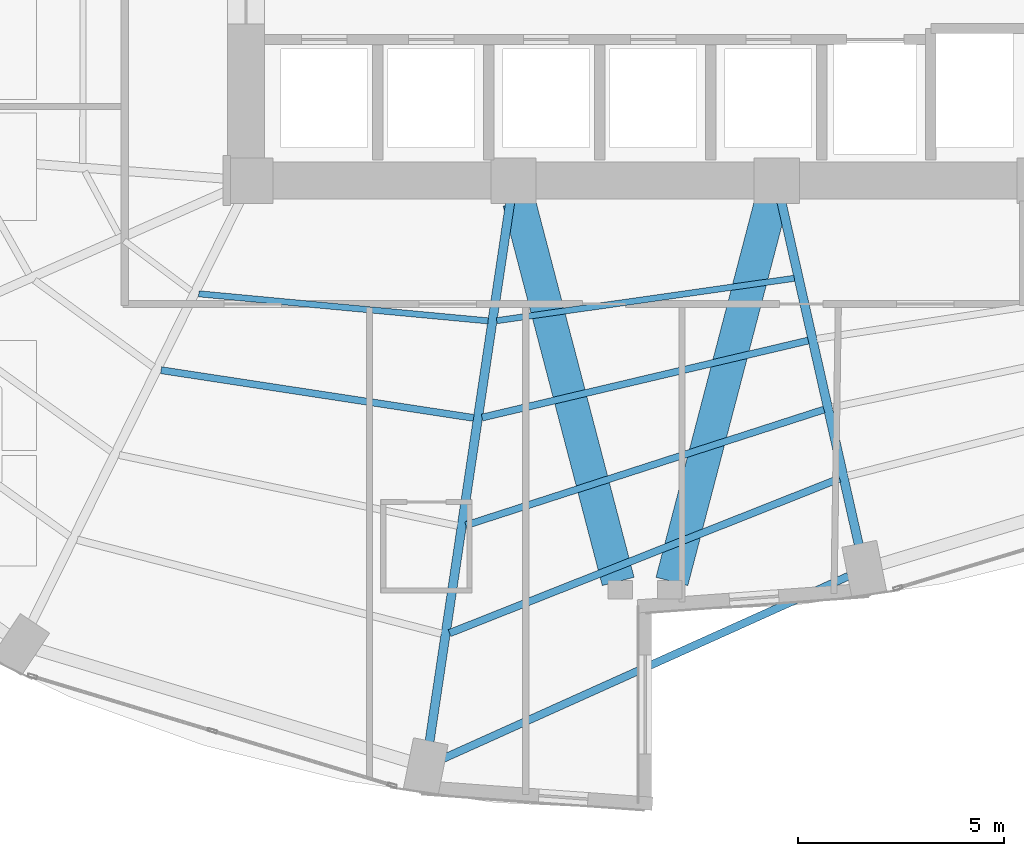
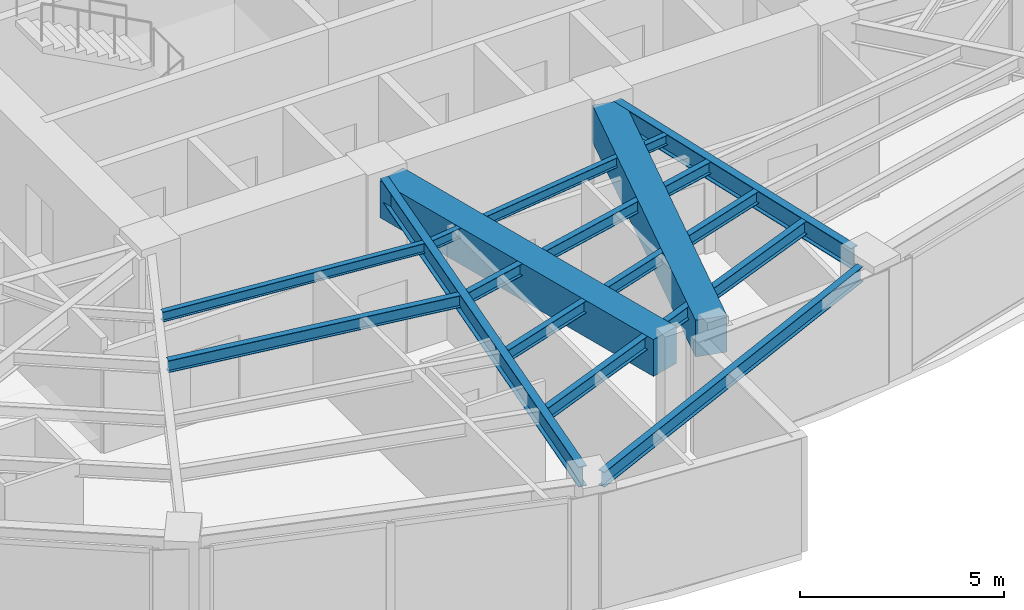
# One storey, part 6 of 25: 11 beams.
"""IFC4 building model written with IfcOpenShell, lengths in metres."""

from ifc_helpers import new_model, si_unit, direction, frame, origin, origin_2d, place, context, subcontext, project, spatial, rectangle, i_section, extrude, material, material_profile, profile_set, type_object, element, save


model = new_model("IFC4")

# Units and contexts
model_context = context("Model", 3, precision=1e-05, world=origin(), true_north=direction((0.0, 1.0)))
body_context = subcontext(model_context, "Body", "Model", "MODEL_VIEW")
ifc_project = project(units=[si_unit("LENGTHUNIT", "METRE"), si_unit("AREAUNIT", "SQUARE_METRE"), si_unit("VOLUMEUNIT", "CUBIC_METRE"), si_unit("PLANEANGLEUNIT", "RADIAN"), si_unit("MASSUNIT", "GRAM", prefix="KILO")], contexts=[model_context])

# Site, building, storey
site_placement = place(None, origin())
site = spatial("IfcSite", under=ifc_project, at=site_placement, CompositionType="ELEMENT")
building_placement = place(site_placement, origin())
building = spatial("IfcBuilding", under=site, at=building_placement, Name="Lazwardi Medical Tower", CompositionType="ELEMENT")
storey_placement = place(building_placement, frame((0.0, 0.0, 28.847900390625)))
storey = spatial("IfcBuildingStorey", under=building, at=storey_placement, Name="L06", CompositionType="ELEMENT", Elevation=28.847900390625)

# Beams
ifc_material_1 = material(Name="Concrete C70/85", Category="concrete")
ifc_material_profile_1 = material_profile(ifc_material_1, rectangle(XDim=0.800048828125, YDim=1.10009765625, at=origin_2d()), Name="RC 800x1100")
ifc_profile_set_1 = profile_set([ifc_material_profile_1], Name="Concrete C70/85")
beam_type_1 = type_object("IfcBeamType", Name="BM-CB-RC1", PredefinedType="LINTEL", material=ifc_profile_set_1)
for number, where, z_axis, x_axis, name in (
    (1, (32.935302734375, 19.88232421875, 2.878173828125), (0.252819877511, -0.967513364009, 0.0), (0.967513364009, 0.252819877511, 0.0), "Core coupling lintel CB-01 PL3 L06"),
    (2, (39.064697265625, 19.88232421875, 2.878173828125), (-0.252819877511, -0.967513364009, 0.0), (0.967513364009, -0.252819877511, 0.0), "Core coupling lintel CB-01 PL4 L06"),
):
    element("IfcBeam", number, at=place(storey_placement, frame(where, z_axis=z_axis, x_axis=x_axis)), inside=storey, type_object=beam_type_1, Name=name, PredefinedType="LINTEL", context=body_context, shape_type="SweptSolid", body=[
        extrude(rectangle(XDim=0.800048828125, YDim=1.10009765625, at=origin_2d()), origin(), (0.0, 0.0, 1.0), 9.538818359375),
    ])
ifc_material_2 = material(Name="Steel S355", Category="steel")
ifc_material_profile_2 = material_profile(ifc_material_2, i_section(OverallWidth=0.219970703125, OverallDepth=0.60009765625, WebThickness=0.011962890625, FlangeThickness=0.01904296875, at=origin_2d()), Name="IPE 600")
ifc_profile_set_2 = profile_set([ifc_material_profile_2], Name="Steel S355")
beam_type_2 = type_object("IfcBeamType", Name="BM-RG-W1", PredefinedType="BEAM", material=ifc_profile_set_2)
beam_1_placement = place(storey_placement, frame((41.203125, 11.521728515625, 3.128173828125), z_axis=(-0.22010079219, 0.975477135189, 0.0), x_axis=(-0.975477135189, -0.22010079219, 0.0)))
element("IfcBeam", 3, at=beam_1_placement, inside=storey, type_object=beam_type_2, Name="Radial girder RG-02 R01 L06", PredefinedType="BEAM", context=body_context, shape_type="SweptSolid", body=[
    extrude(i_section(OverallWidth=0.219970703125, OverallDepth=0.60009765625, WebThickness=0.011962890625, FlangeThickness=0.01904296875, at=origin_2d()), origin(), (0.0, 0.0, 1.0), 8.56640625),
])
beam_2_placement = place(storey_placement, frame((30.7548828125, 6.7294921875, 3.128173828125), z_axis=(0.147944218183, 0.98899570692, 0.0), x_axis=(-0.98899570692, 0.147944218183, 0.0)))
element("IfcBeam", 4, at=beam_2_placement, inside=storey, type_object=beam_type_2, Name="Radial girder RG-02 R16 L06", PredefinedType="BEAM", context=body_context, shape_type="SweptSolid", body=[
    extrude(i_section(OverallWidth=0.219970703125, OverallDepth=0.60009765625, WebThickness=0.011962890625, FlangeThickness=0.01904296875, at=origin_2d()), origin(), (0.0, 0.0, 1.0), 13.28759765625),
])
ifc_material_profile_3 = material_profile(ifc_material_2, i_section(OverallWidth=0.179931640625, OverallDepth=0.39990234375, WebThickness=0.008544921875, FlangeThickness=0.013427734375, at=origin_2d()), Name="IPE 400")
ifc_profile_set_3 = profile_set([ifc_material_profile_3], Name="Steel S355")
beam_type_3 = type_object("IfcBeamType", Name="BM-SJ-01", PredefinedType="JOIST", material=ifc_profile_set_3)
beam_3_placement = place(storey_placement, frame((31.245849609375, 9.396484375, 3.22802734375), z_axis=(0.929663713752, 0.368409255222, 0.0), x_axis=(-0.368409255222, 0.929663713752, 0.0)))
element("IfcBeam", 5, at=beam_3_placement, inside=storey, type_object=beam_type_3, Name="Secondary joist SJ-01 R1 B16 L06", PredefinedType="JOIST", context=body_context, shape_type="SweptSolid", body=[
    extrude(i_section(OverallWidth=0.179931640625, OverallDepth=0.39990234375, WebThickness=0.008544921875, FlangeThickness=0.013427734375, at=origin_2d()), origin(), (0.0, 0.0, 1.0), 10.2001953125),
])
ifc_material_profile_4 = material_profile(ifc_material_2, i_section(OverallWidth=0.169921875, OverallDepth=0.360107421875, WebThickness=0.008056640625, FlangeThickness=0.0126953125, at=origin_2d()), Name="IPE 360")
ifc_profile_set_4 = profile_set([ifc_material_profile_4], Name="Steel S355")
beam_type_4 = type_object("IfcBeamType", Name="BM-SJ-02", PredefinedType="JOIST", material=ifc_profile_set_4)
beam_4_placement = place(storey_placement, frame((31.64111328125, 12.018310546875, 3.248046875), z_axis=(0.951558895485, 0.307466532199, 0.0), x_axis=(-0.307466532199, 0.951558895485, 0.0)))
element("IfcBeam", 6, at=beam_4_placement, inside=storey, type_object=beam_type_4, Name="Secondary joist SJ-02 R2 B16 L06", PredefinedType="JOIST", context=body_context, shape_type="SweptSolid", body=[
    extrude(i_section(OverallWidth=0.169921875, OverallDepth=0.360107421875, WebThickness=0.008056640625, FlangeThickness=0.0126953125, at=origin_2d()), origin(), (0.0, 0.0, 1.0), 9.1513671875),
])
beam_5_placement = place(storey_placement, frame((24.23193359375, 15.790771484375, 3.248046875), z_axis=(0.988535611365, -0.150987897074, 0.0), x_axis=(0.150987897074, 0.988535611365, 0.0)))
element("IfcBeam", 7, at=beam_5_placement, inside=storey, type_object=beam_type_4, Name="Secondary joist SJ-02 R3 B15 L06", PredefinedType="JOIST", context=body_context, shape_type="SweptSolid", body=[
    extrude(i_section(OverallWidth=0.169921875, OverallDepth=0.360107421875, WebThickness=0.008056640625, FlangeThickness=0.0126953125, at=origin_2d()), origin(), (0.0, 0.0, 1.0), 7.68701171875),
])
beam_6_placement = place(storey_placement, frame((32.03662109375, 14.638427734375, 3.248046875), z_axis=(0.973240904247, 0.229787167397, 0.0), x_axis=(-0.229787167397, 0.973240904247, 0.0)))
element("IfcBeam", 8, at=beam_6_placement, inside=storey, type_object=beam_type_4, Name="Secondary joist SJ-02 R3 B16 L06", PredefinedType="JOIST", context=body_context, shape_type="SweptSolid", body=[
    extrude(i_section(OverallWidth=0.169921875, OverallDepth=0.360107421875, WebThickness=0.008056640625, FlangeThickness=0.0126953125, at=origin_2d()), origin(), (0.0, 0.0, 1.0), 8.151123046875),
])
ifc_material_profile_5 = material_profile(ifc_material_2, i_section(OverallWidth=0.14990234375, OverallDepth=0.300048828125, WebThickness=0.007080078125, FlangeThickness=0.0107421875, at=origin_2d()), Name="IPE 300")
ifc_profile_set_5 = profile_set([ifc_material_profile_5], Name="Steel S355")
beam_type_5 = type_object("IfcBeamType", Name="BM-SJ-03", PredefinedType="JOIST", material=ifc_profile_set_5)
beam_7_placement = place(storey_placement, frame((25.148193359375, 17.64794921875, 3.278076171875), z_axis=(0.995649263748, -0.093180167407, 0.0), x_axis=(0.093180167407, 0.995649263748, 0.0)))
element("IfcBeam", 9, at=beam_7_placement, inside=storey, type_object=beam_type_5, Name="Secondary joist SJ-03 R4 B15 L06", PredefinedType="JOIST", context=body_context, shape_type="SweptSolid", body=[
    extrude(i_section(OverallWidth=0.14990234375, OverallDepth=0.300048828125, WebThickness=0.007080078125, FlangeThickness=0.0107421875, at=origin_2d()), origin(), (0.0, 0.0, 1.0), 7.06640625),
])
beam_8_placement = place(storey_placement, frame((32.392333984375, 16.99462890625, 3.278076171875), z_axis=(0.99001552228, 0.140958382672, 0.0), x_axis=(-0.140958382672, 0.99001552228, 0.0)))
element("IfcBeam", 10, at=beam_8_placement, inside=storey, type_object=beam_type_5, Name="Secondary joist SJ-03 R4 B16 L06", PredefinedType="JOIST", context=body_context, shape_type="SweptSolid", body=[
    extrude(i_section(OverallWidth=0.14990234375, OverallDepth=0.300048828125, WebThickness=0.007080078125, FlangeThickness=0.0107421875, at=origin_2d()), origin(), (0.0, 0.0, 1.0), 7.30908203125),
])
ifc_material_profile_6 = material_profile(ifc_material_2, i_section(OverallWidth=0.18994140625, OverallDepth=0.449951171875, WebThickness=0.009521484375, FlangeThickness=0.0146484375, at=origin_2d()), Name="IPE 450")
ifc_profile_set_6 = profile_set([ifc_material_profile_6], Name="Steel S355")
beam_type_6 = type_object("IfcBeamType", Name="BM-SP-01", PredefinedType="SPANDREL", material=ifc_profile_set_6)
beam_9_placement = place(storey_placement, frame((31.05224609375, 6.328369140625, 3.203125), z_axis=(0.91184908894, 0.410525564368, 0.0), x_axis=(-0.410525564368, 0.91184908894, 0.0)))
element("IfcBeam", 11, at=beam_9_placement, inside=storey, type_object=beam_type_6, Name="Spandrel beam SP-01 B16 L06", PredefinedType="SPANDREL", context=body_context, shape_type="SweptSolid", body=[
    extrude(i_section(OverallWidth=0.18994140625, OverallDepth=0.449951171875, WebThickness=0.009521484375, FlangeThickness=0.0146484375, at=origin_2d()), origin(), (0.0, 0.0, 1.0), 10.85205078125),
])

save(model, "model.ifc")
